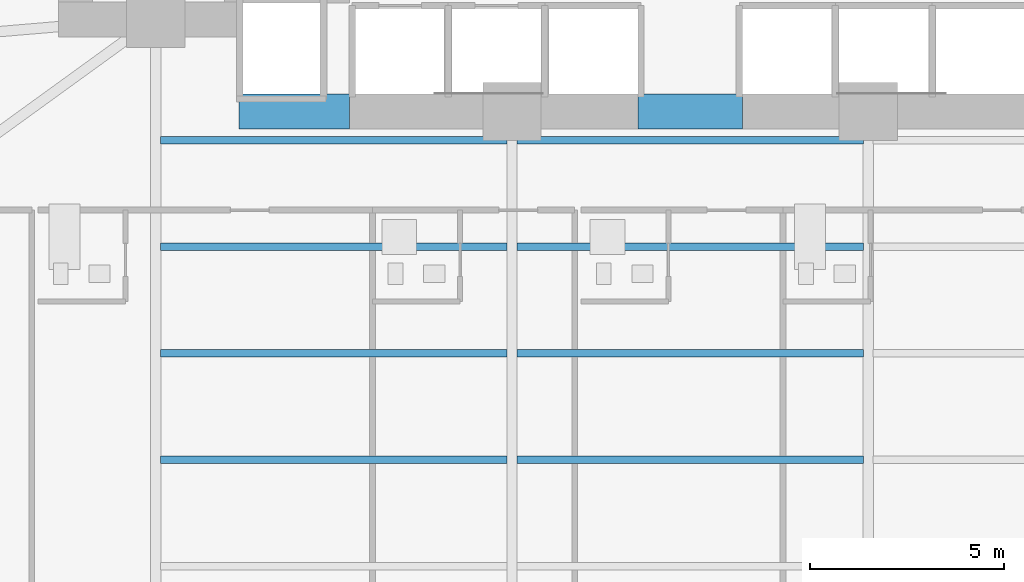
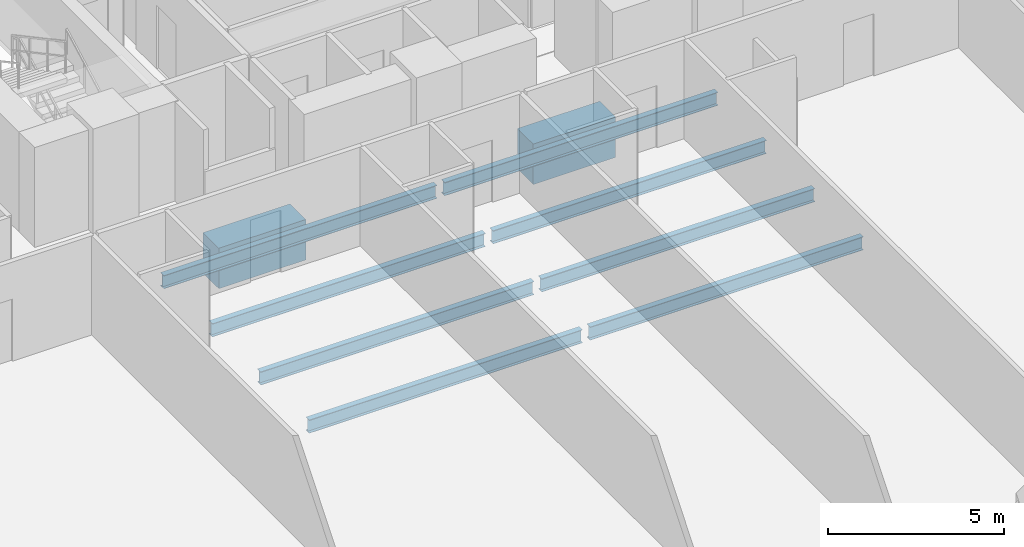
# One storey, part 7 of 29: 10 beams.
"""IFC4 building model written with IfcOpenShell, lengths in metres."""

from ifc_helpers import new_model, si_unit, direction, frame, origin, origin_2d, place, context, subcontext, project, spatial, rectangle, i_section, extrude, material, material_profile, profile_set, type_object, element, save


model = new_model("IFC4")

# Units and contexts
model_context = context("Model", 3, precision=1e-05, world=origin(), true_north=direction((0.0, 1.0)))
body_context = subcontext(model_context, "Body", "Model", "MODEL_VIEW")
ifc_project = project(units=[si_unit("LENGTHUNIT", "METRE"), si_unit("AREAUNIT", "SQUARE_METRE"), si_unit("VOLUMEUNIT", "CUBIC_METRE"), si_unit("PLANEANGLEUNIT", "RADIAN"), si_unit("MASSUNIT", "GRAM", prefix="KILO")], contexts=[model_context])

# Site, building, storey
site_placement = place(None, origin())
site = spatial("IfcSite", under=ifc_project, at=site_placement, CompositionType="ELEMENT")
building_placement = place(site_placement, origin())
building = spatial("IfcBuilding", under=site, at=building_placement, Name="Zuhayl Quay Hotel", CompositionType="ELEMENT")
storey_placement = place(building_placement, frame((0.0, 0.0, 45.85009765625)))
storey = spatial("IfcBuildingStorey", under=building, at=storey_placement, Name="L10", CompositionType="ELEMENT", Elevation=45.85009765625)

# Beams
ifc_material_1 = material(Name="Concrete C60/75", Category="concrete")
ifc_material_profile_1 = material_profile(ifc_material_1, rectangle(XDim=0.89990234375, YDim=1.39990234375, at=origin_2d()), Name="RC900X1400")
ifc_profile_set_1 = profile_set([ifc_material_profile_1], Name="Concrete C60/75")
beam_type_1 = type_object("IfcBeamType", Name="BM_CB1_RC900", PredefinedType="T_BEAM", material=ifc_profile_set_1)
beam_1_placement = place(storey_placement, frame((-11.64990234375, 2.14990234375, -0.920166015625), z_axis=(1.0, 0.0, 0.0), x_axis=(0.0, 1.0, 0.0)))
element("IfcBeam", 1, at=beam_1_placement, inside=storey, type_object=beam_type_1, Name="L10 Core Coupling Beam SW", PredefinedType="T_BEAM", context=body_context, shape_type="SweptSolid", body=[
    extrude(rectangle(XDim=0.89990234375, YDim=1.39990234375, at=origin_2d()), origin(), (0.0, 0.0, 1.0), 2.849853515625),
])
beam_2_placement = place(storey_placement, frame((-1.35009765625, 2.14990234375, -0.920166015625), z_axis=(1.0, 0.0, 0.0), x_axis=(0.0, 1.0, 0.0)))
element("IfcBeam", 2, at=beam_2_placement, inside=storey, type_object=beam_type_1, Name="L10 Core Coupling Beam South", PredefinedType="T_BEAM", context=body_context, shape_type="SweptSolid", body=[
    extrude(rectangle(XDim=0.89990234375, YDim=1.39990234375, at=origin_2d()), origin(), (0.0, 0.0, 1.0), 2.7001953125),
])
ifc_material_2 = material(Name="Steel ASTM A992 Grade 50", Category="steel")
ifc_material_profile_2 = material_profile(ifc_material_2, i_section(OverallWidth=0.18994140625, OverallDepth=0.45703125, WebThickness=0.009033203125, FlangeThickness=0.014404296875, at=origin_2d()), Name="W18X50")
ifc_profile_set_2 = profile_set([ifc_material_profile_2], Name="Steel ASTM A992 Grade 50")
beam_type_2 = type_object("IfcBeamType", Name="BM_J2_W18X50", PredefinedType="JOIST", material=ifc_profile_set_2)
beam_3_placement = place(storey_placement, frame((-13.674560546875, -6.85009765625, -0.448486328125), z_axis=(1.0, 0.0, 0.0), x_axis=(0.0, 1.0, 0.0)))
element("IfcBeam", 3, at=beam_3_placement, inside=storey, type_object=beam_type_2, Name="L10 Floor Beam FJ_L10_7_1", PredefinedType="JOIST", context=body_context, shape_type="SweptSolid", body=[
    extrude(i_section(OverallWidth=0.18994140625, OverallDepth=0.45703125, WebThickness=0.009033203125, FlangeThickness=0.014404296875, at=origin_2d()), origin(), (0.0, 0.0, 1.0), 8.948974609375),
])
beam_4_placement = place(storey_placement, frame((-4.474609375, -6.85009765625, -0.448486328125), z_axis=(1.0, 0.0, 0.0), x_axis=(0.0, 1.0, 0.0)))
element("IfcBeam", 4, at=beam_4_placement, inside=storey, type_object=beam_type_2, Name="L10 Floor Beam FJ_L10_7_2", PredefinedType="JOIST", context=body_context, shape_type="SweptSolid", body=[
    extrude(i_section(OverallWidth=0.18994140625, OverallDepth=0.45703125, WebThickness=0.009033203125, FlangeThickness=0.014404296875, at=origin_2d()), origin(), (0.0, 0.0, 1.0), 8.94921875),
])
beam_5_placement = place(storey_placement, frame((-13.674560546875, -4.10009765625, -0.448486328125), z_axis=(1.0, 0.0, 0.0), x_axis=(0.0, 1.0, 0.0)))
element("IfcBeam", 5, at=beam_5_placement, inside=storey, type_object=beam_type_2, Name="L10 Floor Beam FJ_L10_8_1", PredefinedType="JOIST", context=body_context, shape_type="SweptSolid", body=[
    extrude(i_section(OverallWidth=0.18994140625, OverallDepth=0.45703125, WebThickness=0.009033203125, FlangeThickness=0.014404296875, at=origin_2d()), origin(), (0.0, 0.0, 1.0), 8.948974609375),
])
beam_6_placement = place(storey_placement, frame((-4.474609375, -4.10009765625, -0.448486328125), z_axis=(1.0, 0.0, 0.0), x_axis=(0.0, 1.0, 0.0)))
element("IfcBeam", 6, at=beam_6_placement, inside=storey, type_object=beam_type_2, Name="L10 Floor Beam FJ_L10_8_2", PredefinedType="JOIST", context=body_context, shape_type="SweptSolid", body=[
    extrude(i_section(OverallWidth=0.18994140625, OverallDepth=0.45703125, WebThickness=0.009033203125, FlangeThickness=0.014404296875, at=origin_2d()), origin(), (0.0, 0.0, 1.0), 8.94921875),
])
beam_7_placement = place(storey_placement, frame((-13.674560546875, -1.35009765625, -0.448486328125), z_axis=(1.0, 0.0, 0.0), x_axis=(0.0, 1.0, 0.0)))
element("IfcBeam", 7, at=beam_7_placement, inside=storey, type_object=beam_type_2, Name="L10 Floor Beam FJ_L10_9_1", PredefinedType="JOIST", context=body_context, shape_type="SweptSolid", body=[
    extrude(i_section(OverallWidth=0.18994140625, OverallDepth=0.45703125, WebThickness=0.009033203125, FlangeThickness=0.014404296875, at=origin_2d()), origin(), (0.0, 0.0, 1.0), 8.948974609375),
])
beam_8_placement = place(storey_placement, frame((-4.474609375, -1.35009765625, -0.448486328125), z_axis=(1.0, 0.0, 0.0), x_axis=(0.0, 1.0, 0.0)))
element("IfcBeam", 8, at=beam_8_placement, inside=storey, type_object=beam_type_2, Name="L10 Floor Beam FJ_L10_9_2", PredefinedType="JOIST", context=body_context, shape_type="SweptSolid", body=[
    extrude(i_section(OverallWidth=0.18994140625, OverallDepth=0.45703125, WebThickness=0.009033203125, FlangeThickness=0.014404296875, at=origin_2d()), origin(), (0.0, 0.0, 1.0), 8.94921875),
])
beam_9_placement = place(storey_placement, frame((-13.674560546875, 1.39990234375, -0.448486328125), z_axis=(1.0, 0.0, 0.0), x_axis=(0.0, 1.0, 0.0)))
element("IfcBeam", 9, at=beam_9_placement, inside=storey, type_object=beam_type_2, Name="L10 Floor Beam FJ_L10_10_1", PredefinedType="JOIST", context=body_context, shape_type="SweptSolid", body=[
    extrude(i_section(OverallWidth=0.18994140625, OverallDepth=0.45703125, WebThickness=0.009033203125, FlangeThickness=0.014404296875, at=origin_2d()), origin(), (0.0, 0.0, 1.0), 8.948974609375),
])
beam_10_placement = place(storey_placement, frame((-4.474609375, 1.39990234375, -0.448486328125), z_axis=(1.0, 0.0, 0.0), x_axis=(0.0, 1.0, 0.0)))
element("IfcBeam", 10, at=beam_10_placement, inside=storey, type_object=beam_type_2, Name="L10 Floor Beam FJ_L10_10_2", PredefinedType="JOIST", context=body_context, shape_type="SweptSolid", body=[
    extrude(i_section(OverallWidth=0.18994140625, OverallDepth=0.45703125, WebThickness=0.009033203125, FlangeThickness=0.014404296875, at=origin_2d()), origin(), (0.0, 0.0, 1.0), 8.94921875),
])

save(model, "model.ifc")
